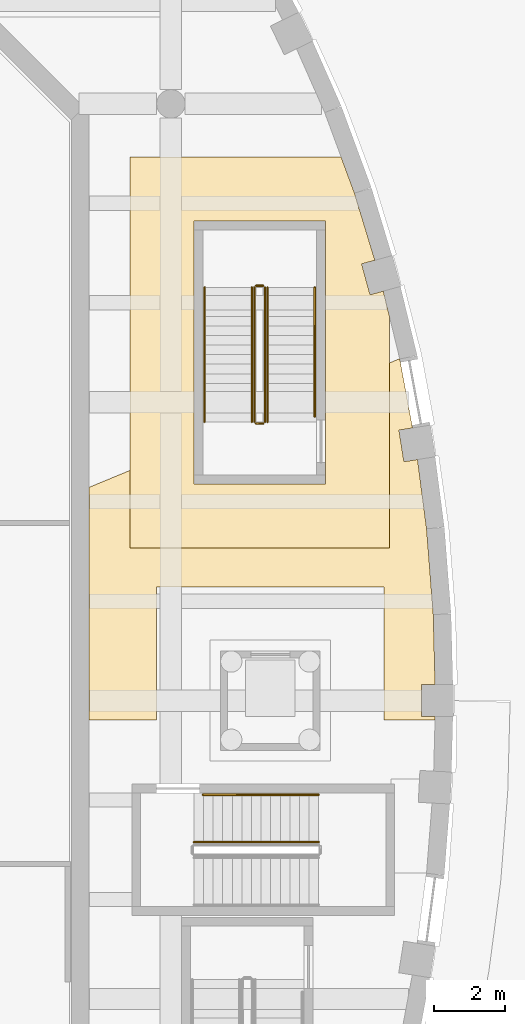
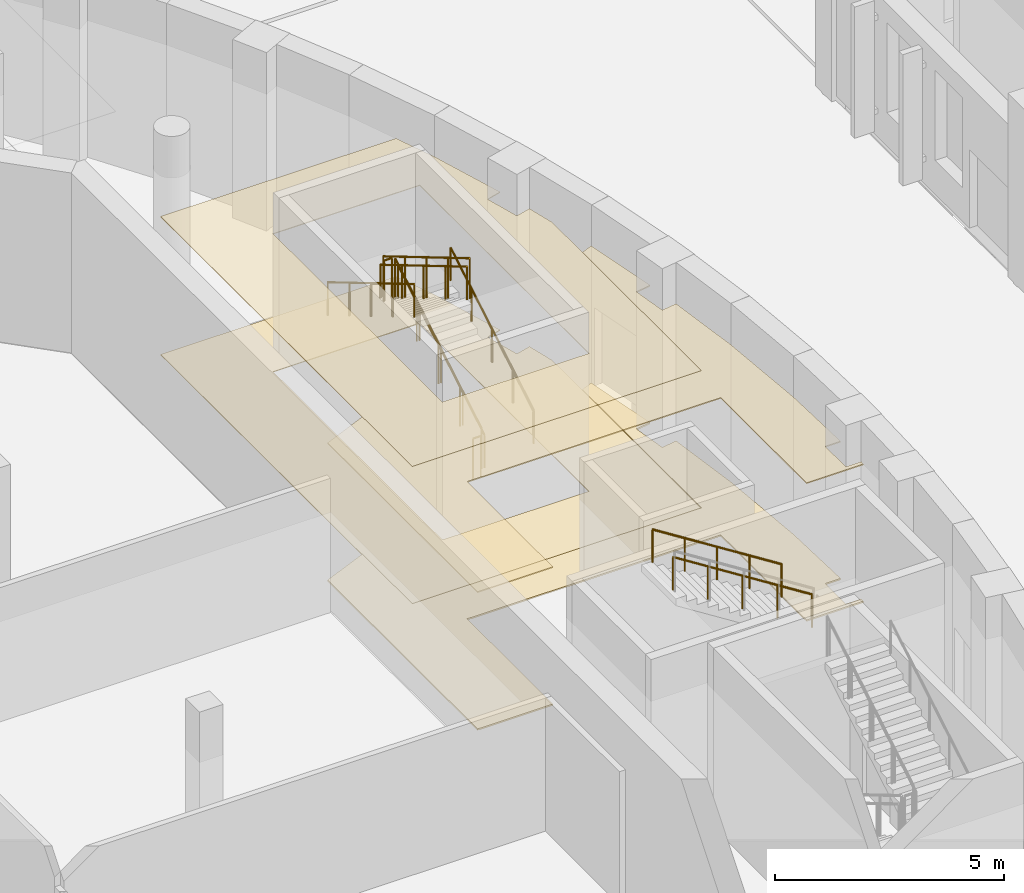
# One storey, part 97 of 110: 10 railings, 4 coverings.
"""IFC4 building model written with IfcOpenShell, lengths in metres."""

from ifc_helpers import new_model, si_unit, direction, frame, origin, origin_2d, place, context, subcontext, project, spatial, polyline, circle, outline, extrude, material, layer, layer_set, type_object, element, save


model = new_model("IFC4")

# Units and contexts
model_context = context("Model", 3, precision=1e-05, world=origin(), true_north=direction((0.0, 1.0)))
body_context = subcontext(model_context, "Body", "Model", "MODEL_VIEW")
ifc_project = project(units=[si_unit("LENGTHUNIT", "METRE"), si_unit("AREAUNIT", "SQUARE_METRE"), si_unit("VOLUMEUNIT", "CUBIC_METRE"), si_unit("PLANEANGLEUNIT", "RADIAN"), si_unit("MASSUNIT", "GRAM", prefix="KILO")], contexts=[model_context])

# Site, building, storey
site_placement = place(None, origin())
site = spatial("IfcSite", under=ifc_project, at=site_placement, CompositionType="ELEMENT")
building_placement = place(site_placement, origin())
building = spatial("IfcBuilding", under=site, at=building_placement, Name="Larchfold Concert Hall", CompositionType="ELEMENT")
storey_placement = place(building_placement, origin())
storey = spatial("IfcBuildingStorey", under=building, at=storey_placement, Name="L00", CompositionType="ELEMENT", Elevation=0.0)

# Coverings
ifc_material_1 = material(Name="Mineral fibre ceiling tile")
ifc_layer_1 = layer(ifc_material_1, 0.02001953125)
ifc_layer_set_1 = layer_set([ifc_layer_1], Name="Mineral fibre ceiling tile")
covering_type_1 = type_object("IfcCoveringType", Name="Ceiling mineral fibre tile 20", PredefinedType="CEILING", material=ifc_layer_set_1)
covering_1_placement = place(storey_placement, frame((0.0, 0.0, 3.68017578125)))
element("IfcCovering", 1, at=covering_1_placement, inside=storey, type_object=covering_type_1, Name="Ceiling Undercroft Escape Corridor 11", PredefinedType="CEILING", context=body_context, shape_type="SweptSolid", body=[
    extrude(outline(polyline([(58.25, 88.89990234375), (65.550048828125, 88.89990234375), (65.550048828125, 95.4267578125), (65.3798828125, 96.128173828125), (65.00634765625, 96.0263671875), (64.76953125, 96.89453125), (65.142822265625, 96.996337890625), (64.570556640625, 98.88037109375), (64.19384765625, 99.900146484375), (58.25, 99.900146484375), (58.25, 88.89990234375)]), holes=[polyline([(60.050048828125, 98.10009765625), (63.75, 98.10009765625), (63.75, 90.699951171875), (60.050048828125, 90.699951171875), (60.050048828125, 98.10009765625)])]), origin(), (0.0, 0.0, 1.0), 0.02001953125),
])
ifc_material_2 = material(Name="Plasterboard ceiling lining")
ifc_layer_2 = layer(ifc_material_2, 0.030029296875)
ifc_layer_set_2 = layer_set([ifc_layer_2], Name="Plasterboard ceiling lining")
covering_type_2 = type_object("IfcCoveringType", Name="Ceiling suspended plasterboard 30", PredefinedType="CEILING", material=ifc_layer_set_2)
covering_2_placement = place(storey_placement, frame((0.0, 0.0, 3.670166015625)))
element("IfcCovering", 2, at=covering_2_placement, inside=storey, type_object=covering_type_2, Name="Ceiling Hall Foyer East", PredefinedType="CEILING", context=body_context, shape_type="SweptSolid", body=[
    extrude(outline(polyline([(66.20361328125, 92.276611328125), (65.84130859375, 94.226806640625), (65.550048828125, 94.106201171875), (65.550048828125, 88.89990234375), (58.25, 88.89990234375), (58.25, 91.08251953125), (57.10009765625, 90.606201171875), (57.10009765625, 84.050048828125), (59.0, 84.050048828125), (59.0, 87.800048828125), (65.400146484375, 87.800048828125), (65.400146484375, 84.050048828125), (66.835693359375, 84.050048828125), (66.83837890625, 84.150146484375), (66.4501953125, 84.150146484375), (66.4501953125, 85.050048828125), (66.83837890625, 85.050048828125), (66.78759765625, 87.020263671875), (66.599853515625, 89.433837890625), (66.34423828125, 91.3876953125), (65.961181640625, 91.3271484375), (65.82080078125, 92.216064453125), (66.20361328125, 92.276611328125)])), origin(), (0.0, 0.0, 1.0), 0.030029296875),
])
ifc_material_3 = material(Name="Polished terrazzo")
ifc_layer_3 = layer(ifc_material_3, 0.0400390625)
ifc_layer_set_3 = layer_set([ifc_layer_3], Name="Polished terrazzo")
covering_type_3 = type_object("IfcCoveringType", Name="Floor finish terrazzo 40", PredefinedType="FLOORING", material=ifc_layer_set_3)
covering_3_placement = place(storey_placement, origin())
element("IfcCovering", 3, at=covering_3_placement, inside=storey, type_object=covering_type_3, Name="Floor finish Hall Foyer East", PredefinedType="FLOORING", context=body_context, shape_type="SweptSolid", body=[
    extrude(outline(polyline([(66.20361328125, 92.276611328125), (65.84130859375, 94.226806640625), (65.550048828125, 94.106201171875), (65.550048828125, 88.89990234375), (58.25, 88.89990234375), (58.25, 91.08251953125), (57.10009765625, 90.606201171875), (57.10009765625, 84.050048828125), (59.0, 84.050048828125), (59.0, 87.800048828125), (65.400146484375, 87.800048828125), (65.400146484375, 84.050048828125), (66.835693359375, 84.050048828125), (66.83837890625, 84.150146484375), (66.4501953125, 84.150146484375), (66.4501953125, 85.050048828125), (66.83837890625, 85.050048828125), (66.78759765625, 87.020263671875), (66.599853515625, 89.433837890625), (66.34423828125, 91.3876953125), (65.961181640625, 91.3271484375), (65.82080078125, 92.216064453125), (66.20361328125, 92.276611328125)])), origin(), (0.0, 0.0, 1.0), 0.0400390625),
])
ifc_material_4 = material(Name="Linoleum sheet")
ifc_layer_4 = layer(ifc_material_4, 0.02001953125)
ifc_layer_set_4 = layer_set([ifc_layer_4], Name="Linoleum sheet")
covering_type_4 = type_object("IfcCoveringType", Name="Floor finish vinyl 20", PredefinedType="FLOORING", material=ifc_layer_set_4)
covering_4_placement = place(storey_placement, origin())
element("IfcCovering", 4, at=covering_4_placement, inside=storey, type_object=covering_type_4, Name="Floor finish Undercroft Escape Corridor 11", PredefinedType="FLOORING", context=body_context, shape_type="SweptSolid", body=[
    extrude(outline(polyline([(58.25, 88.89990234375), (65.550048828125, 88.89990234375), (65.550048828125, 95.4267578125), (65.3798828125, 96.128173828125), (65.00634765625, 96.0263671875), (64.76953125, 96.89453125), (65.142822265625, 96.996337890625), (64.570556640625, 98.88037109375), (64.19384765625, 99.900146484375), (58.25, 99.900146484375), (58.25, 88.89990234375)]), holes=[polyline([(60.050048828125, 98.10009765625), (63.75, 98.10009765625), (63.75, 90.699951171875), (60.050048828125, 90.699951171875), (60.050048828125, 98.10009765625)])]), origin(), (0.0, 0.0, 1.0), 0.02001953125),
])

# Railings
ifc_material_5 = material(Name="Stainless steel balustrade", Category="steel")
railing_type_1 = type_object("IfcRailingType", Name="Stair guard 1100", PredefinedType="GUARDRAIL", material=ifc_material_5)
railing_1_placement = place(storey_placement, frame((62.050048828125, 92.449951171875, 0.159912109375)))
element("IfcRailing", 5, at=railing_1_placement, inside=storey, type_object=railing_type_1, Name="Guard GR0001", PredefinedType="GUARDRAIL", context=body_context, shape_type="SweptSolid", body=[
    extrude(circle(Radius=0.02392578125, at=origin_2d()), frame((0.0, 0.0, 1.076171875), z_axis=(0.0, 0.860294241299, 0.509797821089), x_axis=(-1.0, 0.0, 0.0)), (0.0, 0.0, 1.0), 4.393798828125),
    extrude(circle(Radius=0.02099609375, at=origin_2d()), origin(), (0.0, 0.0, 1.0), 1.052001953125),
    extrude(circle(Radius=0.02099609375, at=origin_2d()), frame((0.0, 0.945068359375, 0.56005859375)), (0.0, 0.0, 1.0), 1.052001953125),
    extrude(circle(Radius=0.02099609375, at=origin_2d()), frame((0.0, 1.89013671875, 1.1201171875)), (0.0, 0.0, 1.0), 1.052001953125),
    extrude(circle(Radius=0.02099609375, at=origin_2d()), frame((0.0, 2.8349609375, 1.679931640625)), (0.0, 0.0, 1.0), 1.052001953125),
    extrude(circle(Radius=0.02099609375, at=origin_2d()), frame((0.0, 3.780029296875, 2.239990234375)), (0.0, 0.0, 1.0), 1.052001953125),
])
railing_2_placement = place(storey_placement, frame((62.0, 96.280029296875, 2.39990234375)))
element("IfcRailing", 6, at=railing_2_placement, inside=storey, type_object=railing_type_1, Name="Guard GR0002", PredefinedType="GUARDRAIL", context=body_context, shape_type="SweptSolid", body=[
    extrude(circle(Radius=0.02392578125, at=origin_2d()), frame((0.0, 0.0, 1.076171875), z_axis=(-1.0, 0.0, 0.0), x_axis=(0.0, -1.0, 0.0)), (0.0, 0.0, 1.0), 0.199951171875),
    extrude(circle(Radius=0.02099609375, at=origin_2d()), origin(), (0.0, 0.0, 1.0), 1.052001953125),
    extrude(circle(Radius=0.02099609375, at=origin_2d()), frame((-0.199951171875, 0.0, 0.0)), (0.0, 0.0, 1.0), 1.052001953125),
])
railing_3_placement = place(storey_placement, frame((61.75, 96.22998046875, 2.56005859375)))
element("IfcRailing", 7, at=railing_3_placement, inside=storey, type_object=railing_type_1, Name="Guard GR0003", PredefinedType="GUARDRAIL", context=body_context, shape_type="SweptSolid", body=[
    extrude(circle(Radius=0.02392578125, at=origin_2d()), frame((0.0, 0.0, 1.076171875), z_axis=(0.0, -0.860294241299, 0.509797821089), x_axis=(1.0, 0.0, 0.0)), (0.0, 0.0, 1.0), 4.393798828125),
    extrude(circle(Radius=0.02099609375, at=origin_2d()), origin(), (0.0, 0.0, 1.0), 1.052001953125),
    extrude(circle(Radius=0.02099609375, at=origin_2d()), frame((0.0, -0.945068359375, 0.56005859375)), (0.0, 0.0, 1.0), 1.052001953125),
    extrude(circle(Radius=0.02099609375, at=origin_2d()), frame((0.0, -1.89013671875, 1.1201171875)), (0.0, 0.0, 1.0), 1.052001953125),
    extrude(circle(Radius=0.02099609375, at=origin_2d()), frame((0.0, -2.8349609375, 1.679931640625)), (0.0, 0.0, 1.0), 1.052001953125),
    extrude(circle(Radius=0.02099609375, at=origin_2d()), frame((0.0, -3.780029296875, 2.239990234375)), (0.0, 0.0, 1.0), 1.052001953125),
])
railing_4_placement = place(storey_placement, frame((62.0, 92.39990234375, 0.0)))
element("IfcRailing", 8, at=railing_4_placement, inside=storey, type_object=railing_type_1, Name="Guard GR0004", PredefinedType="GUARDRAIL", context=body_context, shape_type="SweptSolid", body=[
    extrude(circle(Radius=0.02392578125, at=origin_2d()), frame((0.0, 0.0, 1.076171875), z_axis=(-1.0, 0.0, 0.0), x_axis=(0.0, -1.0, 0.0)), (0.0, 0.0, 1.0), 0.199951171875),
    extrude(circle(Radius=0.02099609375, at=origin_2d()), origin(), (0.0, 0.0, 1.0), 1.052001953125),
    extrude(circle(Radius=0.02099609375, at=origin_2d()), frame((-0.199951171875, 0.0, 0.0)), (0.0, 0.0, 1.0), 1.052001953125),
])
ifc_material_6 = material(Name="Stainless steel handrail", Category="steel")
railing_type_2 = type_object("IfcRailingType", Name="Stair handrail 900", PredefinedType="HANDRAIL", material=ifc_material_6)
railing_5_placement = place(storey_placement, frame((63.449951171875, 92.60009765625, 0.2490234375)))
element("IfcRailing", 9, at=railing_5_placement, inside=storey, type_object=railing_type_2, Name="Handrail HR0001", PredefinedType="HANDRAIL", context=body_context, shape_type="SweptSolid", body=[
    extrude(circle(Radius=0.02392578125, at=origin_2d()), frame((0.0, 0.0, 0.8759765625), z_axis=(0.0, 0.860308451506, 0.509773840313), x_axis=(-1.0, 0.0, 0.0)), (0.0, 0.0, 1.0), 4.21923828125),
    extrude(circle(Radius=0.02099609375, at=origin_2d()), origin(), (0.0, 0.0, 1.0), 0.851806640625),
    extrude(circle(Radius=0.02099609375, at=origin_2d()), frame((0.0, 0.907470703125, 0.53759765625)), (0.0, 0.0, 1.0), 0.851806640625),
    extrude(circle(Radius=0.02099609375, at=origin_2d()), frame((0.0, 1.81494140625, 1.075439453125)), (0.0, 0.0, 1.0), 0.851806640625),
    extrude(circle(Radius=0.02099609375, at=origin_2d()), frame((0.0, 2.722412109375, 1.61328125)), (0.0, 0.0, 1.0), 0.851806640625),
    extrude(circle(Radius=0.02099609375, at=origin_2d()), frame((0.0, 3.6298828125, 2.15087890625)), (0.0, 0.0, 1.0), 0.851806640625),
])
railing_6_placement = place(storey_placement, frame((60.35009765625, 96.22998046875, 2.56005859375)))
element("IfcRailing", 10, at=railing_6_placement, inside=storey, type_object=railing_type_2, Name="Handrail HR0002", PredefinedType="HANDRAIL", context=body_context, shape_type="SweptSolid", body=[
    extrude(circle(Radius=0.02392578125, at=origin_2d()), frame((0.0, 0.0, 0.8759765625), z_axis=(0.0, -0.860294241299, 0.509797821089), x_axis=(1.0, 0.0, 0.0)), (0.0, 0.0, 1.0), 4.393798828125),
    extrude(circle(Radius=0.02099609375, at=origin_2d()), origin(), (0.0, 0.0, 1.0), 0.851806640625),
    extrude(circle(Radius=0.02099609375, at=origin_2d()), frame((0.0, -0.945068359375, 0.56005859375)), (0.0, 0.0, 1.0), 0.851806640625),
    extrude(circle(Radius=0.02099609375, at=origin_2d()), frame((0.0, -1.89013671875, 1.1201171875)), (0.0, 0.0, 1.0), 0.851806640625),
    extrude(circle(Radius=0.02099609375, at=origin_2d()), frame((0.0, -2.8349609375, 1.679931640625)), (0.0, 0.0, 1.0), 0.851806640625),
    extrude(circle(Radius=0.02099609375, at=origin_2d()), frame((0.0, -3.780029296875, 2.239990234375)), (0.0, 0.0, 1.0), 0.851806640625),
])
railing_7_placement = place(storey_placement, frame((62.1201171875, 92.449951171875, 0.159912109375)))
element("IfcRailing", 11, at=railing_7_placement, inside=storey, type_object=railing_type_2, Name="Handrail HR0003", PredefinedType="HANDRAIL", context=body_context, shape_type="SweptSolid", body=[
    extrude(circle(Radius=0.02392578125, at=origin_2d()), frame((0.0, 0.0, 0.8759765625), z_axis=(0.0, 0.860294241299, 0.509797821089), x_axis=(-1.0, 0.0, 0.0)), (0.0, 0.0, 1.0), 4.393798828125),
    extrude(circle(Radius=0.02099609375, at=origin_2d()), origin(), (0.0, 0.0, 1.0), 0.851806640625),
    extrude(circle(Radius=0.02099609375, at=origin_2d()), frame((0.0, 0.945068359375, 0.56005859375)), (0.0, 0.0, 1.0), 0.851806640625),
    extrude(circle(Radius=0.02099609375, at=origin_2d()), frame((0.0, 1.89013671875, 1.1201171875)), (0.0, 0.0, 1.0), 0.851806640625),
    extrude(circle(Radius=0.02099609375, at=origin_2d()), frame((0.0, 2.8349609375, 1.679931640625)), (0.0, 0.0, 1.0), 0.851806640625),
    extrude(circle(Radius=0.02099609375, at=origin_2d()), frame((0.0, 3.780029296875, 2.239990234375)), (0.0, 0.0, 1.0), 0.851806640625),
])
railing_8_placement = place(storey_placement, frame((61.679931640625, 96.22998046875, 2.56005859375)))
element("IfcRailing", 12, at=railing_8_placement, inside=storey, type_object=railing_type_2, Name="Handrail HR0004", PredefinedType="HANDRAIL", context=body_context, shape_type="SweptSolid", body=[
    extrude(circle(Radius=0.02392578125, at=origin_2d()), frame((0.0, 0.0, 0.8759765625), z_axis=(0.0, -0.860294241299, 0.509797821089), x_axis=(1.0, 0.0, 0.0)), (0.0, 0.0, 1.0), 4.393798828125),
    extrude(circle(Radius=0.02099609375, at=origin_2d()), origin(), (0.0, 0.0, 1.0), 0.851806640625),
    extrude(circle(Radius=0.02099609375, at=origin_2d()), frame((0.0, -0.945068359375, 0.56005859375)), (0.0, 0.0, 1.0), 0.851806640625),
    extrude(circle(Radius=0.02099609375, at=origin_2d()), frame((0.0, -1.89013671875, 1.1201171875)), (0.0, 0.0, 1.0), 0.851806640625),
    extrude(circle(Radius=0.02099609375, at=origin_2d()), frame((0.0, -2.8349609375, 1.679931640625)), (0.0, 0.0, 1.0), 0.851806640625),
    extrude(circle(Radius=0.02099609375, at=origin_2d()), frame((0.0, -3.780029296875, 2.239990234375)), (0.0, 0.0, 1.0), 0.851806640625),
])
railing_9_placement = place(storey_placement, frame((63.56005859375, 81.949951171875, 2.571533203125)))
element("IfcRailing", 13, at=railing_9_placement, inside=storey, type_object=railing_type_2, Name="Handrail HR0030", PredefinedType="HANDRAIL", context=body_context, shape_type="SweptSolid", body=[
    extrude(circle(Radius=0.02392578125, at=origin_2d()), frame((0.0, 0.0, 0.8759765625), z_axis=(-0.844215539873, 0.0, 0.536003845356), x_axis=(0.0, -1.0, 0.0)), (0.0, 0.0, 1.0), 3.861572265625),
    extrude(circle(Radius=0.02099609375, at=origin_2d()), origin(), (0.0, 0.0, 1.0), 0.851806640625),
    extrude(circle(Radius=0.02099609375, at=origin_2d()), frame((-0.81494140625, 0.0, 0.517578125)), (0.0, 0.0, 1.0), 0.851806640625),
    extrude(circle(Radius=0.02099609375, at=origin_2d()), frame((-1.6298828125, 0.0, 1.034912109375)), (0.0, 0.0, 1.0), 0.851806640625),
    extrude(circle(Radius=0.02099609375, at=origin_2d()), frame((-2.445068359375, 0.0, 1.55224609375)), (0.0, 0.0, 1.0), 0.851806640625),
    extrude(circle(Radius=0.02099609375, at=origin_2d()), frame((-3.260009765625, 0.0, 2.06982421875)), (0.0, 0.0, 1.0), 0.851806640625),
])
railing_10_placement = place(storey_placement, frame((63.56005859375, 80.6201171875, 2.571533203125)))
element("IfcRailing", 14, at=railing_10_placement, inside=storey, type_object=railing_type_2, Name="Handrail HR0032", PredefinedType="HANDRAIL", context=body_context, shape_type="SweptSolid", body=[
    extrude(circle(Radius=0.02392578125, at=origin_2d()), frame((0.0, 0.0, 0.8759765625), z_axis=(-0.844219563411, 0.0, 0.53599750816), x_axis=(0.0, -1.0, 0.0)), (0.0, 0.0, 1.0), 4.15771484375),
    extrude(circle(Radius=0.02099609375, at=origin_2d()), origin(), (0.0, 0.0, 1.0), 0.851806640625),
    extrude(circle(Radius=0.02099609375, at=origin_2d()), frame((-0.87744140625, 0.0, 0.55712890625)), (0.0, 0.0, 1.0), 0.851806640625),
    extrude(circle(Radius=0.02099609375, at=origin_2d()), frame((-1.7548828125, 0.0, 1.1142578125)), (0.0, 0.0, 1.0), 0.851806640625),
    extrude(circle(Radius=0.02099609375, at=origin_2d()), frame((-2.632568359375, 0.0, 1.67138671875)), (0.0, 0.0, 1.0), 0.851806640625),
    extrude(circle(Radius=0.02099609375, at=origin_2d()), frame((-3.510009765625, 0.0, 2.228515625)), (0.0, 0.0, 1.0), 0.851806640625),
])

save(model, "model.ifc")
